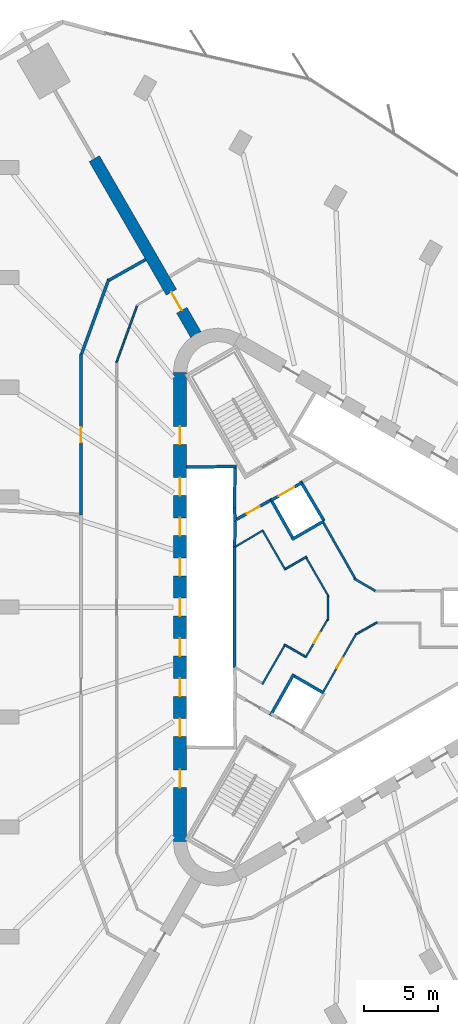
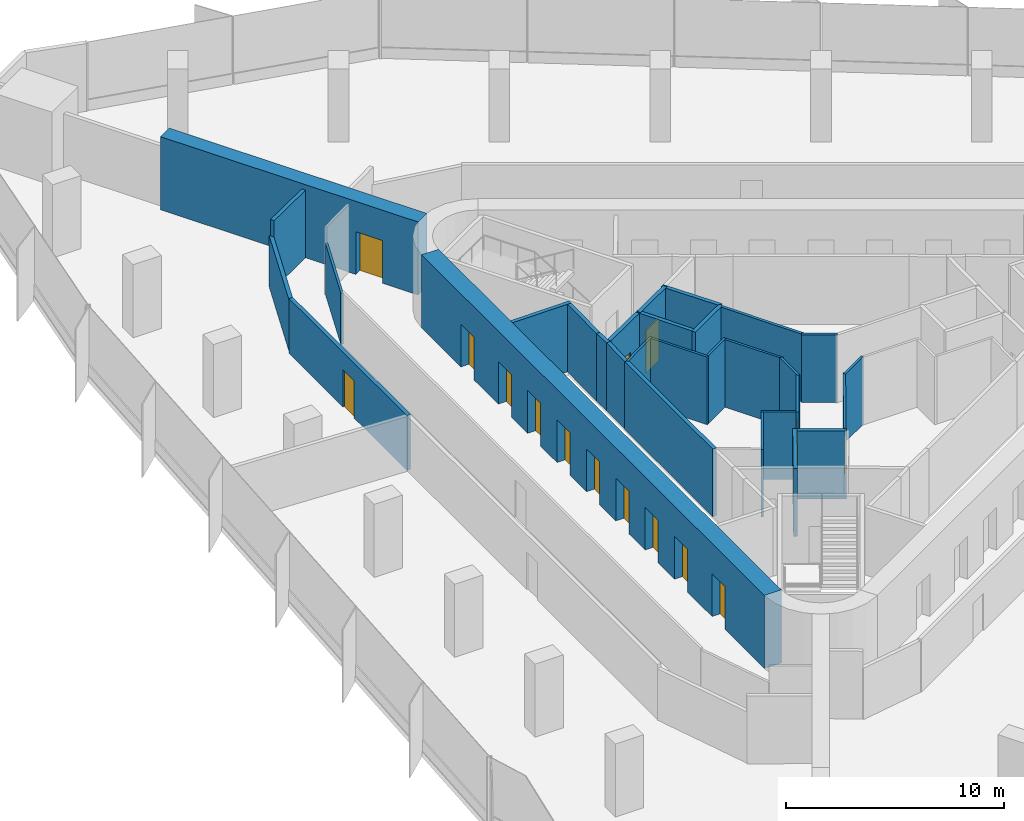
# One storey, part 10 of 14: 30 walls, 15 doors, 15 openings.
"""IFC4 building model written with IfcOpenShell, lengths in metres."""

from ifc_helpers import new_model, si_unit, direction, frame, frame_2d, origin, place, context, subcontext, project, spatial, rectangle, extrude, material, layer, layer_set, type_object, element, fill, save


model = new_model("IFC4")

# Units and contexts
model_context = context("Model", 3, precision=1e-05, world=origin(), true_north=direction((0.0, 1.0)))
body_context = subcontext(model_context, "Body", "Model", "MODEL_VIEW")
ifc_project = project(units=[si_unit("LENGTHUNIT", "METRE"), si_unit("AREAUNIT", "SQUARE_METRE"), si_unit("VOLUMEUNIT", "CUBIC_METRE"), si_unit("PLANEANGLEUNIT", "RADIAN"), si_unit("MASSUNIT", "GRAM", prefix="KILO")], contexts=[model_context])

# Site, building, storey
site_placement = place(None, origin())
site = spatial("IfcSite", under=ifc_project, at=site_placement, CompositionType="ELEMENT")
building_placement = place(site_placement, origin())
building = spatial("IfcBuilding", under=site, at=building_placement, Name="Tanit Gate Tower", CompositionType="ELEMENT")
storey_placement = place(building_placement, frame((0.0, 0.0, 78.300048828125)))
storey = spatial("IfcBuildingStorey", under=building, at=storey_placement, Name="L15", CompositionType="ELEMENT", Elevation=78.300048828125)

# Wall, opening, door
ifc_material_1 = material(Name="Concrete C60/75", Category="concrete")
ifc_layer_1 = layer(ifc_material_1, 0.800048828125)
ifc_layer_set_1 = layer_set([ifc_layer_1], Name="BUTTRESS FIN 800 C60/75")
wall_type_1 = type_object("IfcWallType", Name="BUTTRESS FIN 800 C60/75", PredefinedType="SHEAR", material=ifc_layer_set_1)
wall_1_placement = place(storey_placement, frame((-10.574951171875, 18.31640625, 0.0), z_axis=(0.0, 0.0, 1.0), x_axis=(-0.499998162141, 0.86602646487, 0.0)))
wall_1 = element("IfcWall", 1, at=wall_1_placement, inside=storey, type_object=wall_type_1, Name="BUTTRESS FIN", PredefinedType="SHEAR", context=body_context, shape_type="SweptSolid", body=[
    extrude(rectangle(XDim=13.66943359375, YDim=0.800048828125, at=frame_2d((6.834716796875, 0.0))), origin(), (0.0, 0.0, 1.0), 4.099853515625),
])
opening_1_placement = place(wall_1_placement, frame((1.89990234375, 0.0, 0.0)))
opening_1 = element("IfcOpeningElement", 2, at=opening_1_placement, cuts=wall_1, Name="Opening P14-S02-F-NW-1", PredefinedType="OPENING", context=body_context, shape_type="SweptSolid", body=[
    extrude(rectangle(XDim=1.39990234375, YDim=2.39990234375, at=frame_2d((0.699951171875, 1.199951171875))), frame((0.0, 0.41015625, 0.0), z_axis=(0.0, -1.0, 0.0), x_axis=(1.0, 0.0, 0.0)), (0.0, 0.0, 1.0), 0.820068359375),
])
ifc_material_2 = material(Name="Timber door leaf", Category="wood")
door_type_1 = type_object("IfcDoorType", Name="INT-DOOR-FIN-PAIR-1400", OperationType="NOTDEFINED", PredefinedType="NOTDEFINED", material=ifc_material_2)
door_1_placement = place(opening_1_placement, origin())
door_1 = element("IfcDoor", 3, at=door_1_placement, inside=storey, type_object=door_type_1, Name="Door P14-S02-F-NW-1", OperationType="DOUBLE_DOOR_SINGLE_SWING", OverallHeight=2.39990234375, OverallWidth=1.39990234375, PredefinedType="NOTDEFINED", context=body_context, shape_type="SweptSolid", body=[
    extrude(rectangle(XDim=1.39990234375, YDim=2.39990234375, at=frame_2d((0.699951171875, 1.199951171875))), frame((0.0, 0.02490234375, 0.0), z_axis=(0.0, -1.0, 0.0), x_axis=(1.0, 0.0, 0.0)), (0.0, 0.0, 1.0), 0.050048828125),
])
fill(opening_1, door_1)

# Wall, openings, doors
ifc_material_3 = material(Name="Concrete C60/75", Category="concrete")
ifc_layer_2 = layer(ifc_material_3, 0.89990234375)
ifc_layer_set_2 = layer_set([ifc_layer_2], Name="CORE WALL 900 C60/75")
wall_type_2 = type_object("IfcWallType", Name="CORE WALL 900 C60/75", PredefinedType="SHEAR", material=ifc_layer_set_2)
wall_2_placement = place(storey_placement, frame((-11.64990234375, 15.76171875, 0.0), z_axis=(0.0, 0.0, 1.0), x_axis=(0.0, -1.0, 0.0)))
wall_2 = element("IfcWall", 4, at=wall_2_placement, inside=storey, type_object=wall_type_2, Name="CORE WALL", PredefinedType="SHEAR", context=body_context, shape_type="SweptSolid", body=[
    extrude(rectangle(XDim=31.5234375, YDim=0.89990234375, at=frame_2d((15.76171875, 0.0))), origin(), (0.0, 0.0, 1.0), 4.099853515625),
])
opening_2_placement = place(wall_2_placement, frame((7.061767578125, 0.0, 0.0)))
opening_2 = element("IfcOpeningElement", 5, at=opening_2_placement, cuts=wall_2, Name="Opening LDLL1-S02", PredefinedType="OPENING", context=body_context, shape_type="SweptSolid", body=[
    extrude(rectangle(XDim=1.199951171875, YDim=2.39990234375, at=frame_2d((0.60009765625, 1.199951171875))), frame((0.0, 0.4599609375, 0.0), z_axis=(0.0, -1.0, 0.0), x_axis=(1.0, 0.0, 0.0)), (0.0, 0.0, 1.0), 0.919921875),
])
opening_3_placement = place(wall_2_placement, frame((9.76171875, 0.0, 0.0)))
opening_3 = element("IfcOpeningElement", 6, at=opening_3_placement, cuts=wall_2, Name="Opening LDLL2-S02", PredefinedType="OPENING", context=body_context, shape_type="SweptSolid", body=[
    extrude(rectangle(XDim=1.199951171875, YDim=2.39990234375, at=frame_2d((0.60009765625, 1.199951171875))), frame((0.0, 0.4599609375, 0.0), z_axis=(0.0, -1.0, 0.0), x_axis=(1.0, 0.0, 0.0)), (0.0, 0.0, 1.0), 0.919921875),
])
opening_4_placement = place(wall_2_placement, frame((12.461669921875, 0.0, 0.0)))
opening_4 = element("IfcOpeningElement", 7, at=opening_4_placement, cuts=wall_2, Name="Opening LDLL3-S02", PredefinedType="OPENING", context=body_context, shape_type="SweptSolid", body=[
    extrude(rectangle(XDim=1.199951171875, YDim=2.39990234375, at=frame_2d((0.60009765625, 1.199951171875))), frame((0.0, 0.4599609375, 0.0), z_axis=(0.0, -1.0, 0.0), x_axis=(1.0, 0.0, 0.0)), (0.0, 0.0, 1.0), 0.919921875),
])
opening_5_placement = place(wall_2_placement, frame((15.16162109375, 0.0, 0.0)))
opening_5 = element("IfcOpeningElement", 8, at=opening_5_placement, cuts=wall_2, Name="Opening LDLL4-S02", PredefinedType="OPENING", context=body_context, shape_type="SweptSolid", body=[
    extrude(rectangle(XDim=1.199951171875, YDim=2.39990234375, at=frame_2d((0.60009765625, 1.199951171875))), frame((0.0, 0.4599609375, 0.0), z_axis=(0.0, -1.0, 0.0), x_axis=(1.0, 0.0, 0.0)), (0.0, 0.0, 1.0), 0.919921875),
])
opening_6_placement = place(wall_2_placement, frame((17.86181640625, 0.0, 0.0)))
opening_6 = element("IfcOpeningElement", 9, at=opening_6_placement, cuts=wall_2, Name="Opening LDLL5-S02", PredefinedType="OPENING", context=body_context, shape_type="SweptSolid", body=[
    extrude(rectangle(XDim=1.199951171875, YDim=2.39990234375, at=frame_2d((0.60009765625, 1.199951171875))), frame((0.0, 0.4599609375, 0.0), z_axis=(0.0, -1.0, 0.0), x_axis=(1.0, 0.0, 0.0)), (0.0, 0.0, 1.0), 0.919921875),
])
opening_7_placement = place(wall_2_placement, frame((20.561767578125, 0.0, 0.0)))
opening_7 = element("IfcOpeningElement", 10, at=opening_7_placement, cuts=wall_2, Name="Opening LDLL6-S02", PredefinedType="OPENING", context=body_context, shape_type="SweptSolid", body=[
    extrude(rectangle(XDim=1.199951171875, YDim=2.39990234375, at=frame_2d((0.60009765625, 1.199951171875))), frame((0.0, 0.4599609375, 0.0), z_axis=(0.0, -1.0, 0.0), x_axis=(1.0, 0.0, 0.0)), (0.0, 0.0, 1.0), 0.919921875),
])
opening_8_placement = place(wall_2_placement, frame((23.26171875, 0.0, 0.0)))
opening_8 = element("IfcOpeningElement", 11, at=opening_8_placement, cuts=wall_2, Name="Opening LDLL7-S02", PredefinedType="OPENING", context=body_context, shape_type="SweptSolid", body=[
    extrude(rectangle(XDim=1.199951171875, YDim=2.39990234375, at=frame_2d((0.60009765625, 1.199951171875))), frame((0.0, 0.4599609375, 0.0), z_axis=(0.0, -1.0, 0.0), x_axis=(1.0, 0.0, 0.0)), (0.0, 0.0, 1.0), 0.919921875),
])
opening_9_placement = place(wall_2_placement, frame((3.61181640625, 0.0, 0.0)))
opening_9 = element("IfcOpeningElement", 12, at=opening_9_placement, cuts=wall_2, Name="Opening F12-S02-FL2", PredefinedType="OPENING", context=body_context, shape_type="SweptSolid", body=[
    extrude(rectangle(XDim=1.199951171875, YDim=2.39990234375, at=frame_2d((0.60009765625, 1.199951171875))), frame((0.0, 0.4599609375, 0.0), z_axis=(0.0, -1.0, 0.0), x_axis=(1.0, 0.0, 0.0)), (0.0, 0.0, 1.0), 0.919921875),
])
opening_10_placement = place(wall_2_placement, frame((26.711669921875, 0.0, 0.0)))
opening_10 = element("IfcOpeningElement", 13, at=opening_10_placement, cuts=wall_2, Name="Opening F12-S02-S3", PredefinedType="OPENING", context=body_context, shape_type="SweptSolid", body=[
    extrude(rectangle(XDim=1.199951171875, YDim=2.39990234375, at=frame_2d((0.60009765625, 1.199951171875))), frame((0.0, 0.4599609375, 0.0), z_axis=(0.0, -1.0, 0.0), x_axis=(1.0, 0.0, 0.0)), (0.0, 0.0, 1.0), 0.919921875),
])
ifc_material_4 = material(Name="Fire-rated steel door leaf", Category="steel")
door_type_2 = type_object("IfcDoorType", Name="INT-DOOR-FIRE-LOBBY-1200", OperationType="NOTDEFINED", PredefinedType="USERDEFINED", material=ifc_material_4)
door_2_placement = place(opening_9_placement, origin())
door_2 = element("IfcDoor", 14, at=door_2_placement, inside=storey, type_object=door_type_2, Name="Door F12-S02-FL2", ObjectType="FIRE DOOR", OperationType="SINGLE_SWING_RIGHT", OverallHeight=2.39990234375, OverallWidth=1.199951171875, PredefinedType="USERDEFINED", context=body_context, shape_type="SweptSolid", body=[
    extrude(rectangle(XDim=1.199951171875, YDim=2.39990234375, at=frame_2d((0.60009765625, 1.199951171875))), frame((0.0, 0.02490234375, 0.0), z_axis=(0.0, -1.0, 0.0), x_axis=(1.0, 0.0, 0.0)), (0.0, 0.0, 1.0), 0.050048828125),
])
fill(opening_9, door_2)
door_3_placement = place(opening_10_placement, origin())
door_3 = element("IfcDoor", 15, at=door_3_placement, inside=storey, type_object=door_type_2, Name="Door F12-S02-S3", ObjectType="FIRE DOOR", OperationType="SINGLE_SWING_RIGHT", OverallHeight=2.39990234375, OverallWidth=1.199951171875, PredefinedType="USERDEFINED", context=body_context, shape_type="SweptSolid", body=[
    extrude(rectangle(XDim=1.199951171875, YDim=2.39990234375, at=frame_2d((0.60009765625, 1.199951171875))), frame((0.0, 0.02490234375, 0.0), z_axis=(0.0, -1.0, 0.0), x_axis=(1.0, 0.0, 0.0)), (0.0, 0.0, 1.0), 0.050048828125),
])
fill(opening_10, door_3)
ifc_material_5 = material(Name="Stainless steel sliding door leaf", Category="steel")
door_type_3 = type_object("IfcDoorType", Name="INT-DOOR-LANDING-1200", OperationType="NOTDEFINED", PredefinedType="USERDEFINED", material=ifc_material_5)
door_4_placement = place(opening_2_placement, origin())
door_4 = element("IfcDoor", 16, at=door_4_placement, inside=storey, type_object=door_type_3, Name="Door LDLL1-S02", ObjectType="LANDING DOOR", OperationType="SLIDING_TO_LEFT", OverallHeight=2.39990234375, OverallWidth=1.199951171875, PredefinedType="USERDEFINED", context=body_context, shape_type="SweptSolid", body=[
    extrude(rectangle(XDim=1.199951171875, YDim=2.39990234375, at=frame_2d((0.60009765625, 1.199951171875))), frame((0.0, 0.02490234375, 0.0), z_axis=(0.0, -1.0, 0.0), x_axis=(1.0, 0.0, 0.0)), (0.0, 0.0, 1.0), 0.050048828125),
])
fill(opening_2, door_4)
door_5_placement = place(opening_3_placement, origin())
door_5 = element("IfcDoor", 17, at=door_5_placement, inside=storey, type_object=door_type_3, Name="Door LDLL2-S02", ObjectType="LANDING DOOR", OperationType="SLIDING_TO_LEFT", OverallHeight=2.39990234375, OverallWidth=1.199951171875, PredefinedType="USERDEFINED", context=body_context, shape_type="SweptSolid", body=[
    extrude(rectangle(XDim=1.199951171875, YDim=2.39990234375, at=frame_2d((0.60009765625, 1.199951171875))), frame((0.0, 0.02490234375, 0.0), z_axis=(0.0, -1.0, 0.0), x_axis=(1.0, 0.0, 0.0)), (0.0, 0.0, 1.0), 0.050048828125),
])
fill(opening_3, door_5)
door_6_placement = place(opening_4_placement, origin())
door_6 = element("IfcDoor", 18, at=door_6_placement, inside=storey, type_object=door_type_3, Name="Door LDLL3-S02", ObjectType="LANDING DOOR", OperationType="SLIDING_TO_LEFT", OverallHeight=2.39990234375, OverallWidth=1.199951171875, PredefinedType="USERDEFINED", context=body_context, shape_type="SweptSolid", body=[
    extrude(rectangle(XDim=1.199951171875, YDim=2.39990234375, at=frame_2d((0.60009765625, 1.199951171875))), frame((0.0, 0.02490234375, 0.0), z_axis=(0.0, -1.0, 0.0), x_axis=(1.0, 0.0, 0.0)), (0.0, 0.0, 1.0), 0.050048828125),
])
fill(opening_4, door_6)
door_7_placement = place(opening_5_placement, origin())
door_7 = element("IfcDoor", 19, at=door_7_placement, inside=storey, type_object=door_type_3, Name="Door LDLL4-S02", ObjectType="LANDING DOOR", OperationType="SLIDING_TO_LEFT", OverallHeight=2.39990234375, OverallWidth=1.199951171875, PredefinedType="USERDEFINED", context=body_context, shape_type="SweptSolid", body=[
    extrude(rectangle(XDim=1.199951171875, YDim=2.39990234375, at=frame_2d((0.60009765625, 1.199951171875))), frame((0.0, 0.02490234375, 0.0), z_axis=(0.0, -1.0, 0.0), x_axis=(1.0, 0.0, 0.0)), (0.0, 0.0, 1.0), 0.050048828125),
])
fill(opening_5, door_7)
door_8_placement = place(opening_6_placement, origin())
door_8 = element("IfcDoor", 20, at=door_8_placement, inside=storey, type_object=door_type_3, Name="Door LDLL5-S02", ObjectType="LANDING DOOR", OperationType="SLIDING_TO_LEFT", OverallHeight=2.39990234375, OverallWidth=1.199951171875, PredefinedType="USERDEFINED", context=body_context, shape_type="SweptSolid", body=[
    extrude(rectangle(XDim=1.199951171875, YDim=2.39990234375, at=frame_2d((0.60009765625, 1.199951171875))), frame((0.0, 0.02490234375, 0.0), z_axis=(0.0, -1.0, 0.0), x_axis=(1.0, 0.0, 0.0)), (0.0, 0.0, 1.0), 0.050048828125),
])
fill(opening_6, door_8)
door_9_placement = place(opening_7_placement, origin())
door_9 = element("IfcDoor", 21, at=door_9_placement, inside=storey, type_object=door_type_3, Name="Door LDLL6-S02", ObjectType="LANDING DOOR", OperationType="SLIDING_TO_LEFT", OverallHeight=2.39990234375, OverallWidth=1.199951171875, PredefinedType="USERDEFINED", context=body_context, shape_type="SweptSolid", body=[
    extrude(rectangle(XDim=1.199951171875, YDim=2.39990234375, at=frame_2d((0.60009765625, 1.199951171875))), frame((0.0, 0.02490234375, 0.0), z_axis=(0.0, -1.0, 0.0), x_axis=(1.0, 0.0, 0.0)), (0.0, 0.0, 1.0), 0.050048828125),
])
fill(opening_7, door_9)
door_10_placement = place(opening_8_placement, origin())
door_10 = element("IfcDoor", 22, at=door_10_placement, inside=storey, type_object=door_type_3, Name="Door LDLL7-S02", ObjectType="LANDING DOOR", OperationType="SLIDING_TO_LEFT", OverallHeight=2.39990234375, OverallWidth=1.199951171875, PredefinedType="USERDEFINED", context=body_context, shape_type="SweptSolid", body=[
    extrude(rectangle(XDim=1.199951171875, YDim=2.39990234375, at=frame_2d((0.60009765625, 1.199951171875))), frame((0.0, 0.02490234375, 0.0), z_axis=(0.0, -1.0, 0.0), x_axis=(1.0, 0.0, 0.0)), (0.0, 0.0, 1.0), 0.050048828125),
])
fill(opening_8, door_10)

# Wall, opening, door
ifc_material_6 = material(Name="Fire-rated gypsum board partition")
ifc_layer_3 = layer(ifc_material_6, 0.199951171875)
ifc_layer_set_3 = layer_set([ifc_layer_3], Name="INT-WALL-COMPARTMENT")
wall_type_3 = type_object("IfcWallType", Name="INT-WALL-COMPARTMENT", PredefinedType="PARTITIONING", material=ifc_layer_set_3)
wall_3_placement = place(storey_placement, frame((-5.600341796875, 7.16015625, 0.0), z_axis=(0.0, 0.0, 1.0), x_axis=(-0.871363259478, -0.490638431059, 0.0)))
wall_3 = element("IfcWall", 23, at=wall_3_placement, inside=storey, type_object=wall_type_3, Name="Wall Compartment W062", PredefinedType="PARTITIONING", context=body_context, shape_type="SweptSolid", body=[
    extrude(rectangle(XDim=2.5810546875, YDim=0.199951171875, at=frame_2d((1.29052734375, 0.0))), origin(), (0.0, 0.0, 1.0), 3.800048828125),
])
opening_11_placement = place(wall_3_placement, frame((0.79052734375, 0.0, 0.0)))
opening_11 = element("IfcOpeningElement", 24, at=opening_11_placement, cuts=wall_3, Name="Opening F10-S02-05", PredefinedType="OPENING", context=body_context, shape_type="SweptSolid", body=[
    extrude(rectangle(XDim=1.0, YDim=2.10009765625, at=frame_2d((0.5, 1.050048828125))), frame((0.0, 0.10986328125, 0.0), z_axis=(0.0, -1.0, 0.0), x_axis=(1.0, 0.0, 0.0)), (0.0, 0.0, 1.0), 0.219970703125),
])
ifc_material_7 = material(Name="Fire-rated steel door leaf", Category="steel")
door_type_4 = type_object("IfcDoorType", Name="INT-DOOR-FIRE-1000", OperationType="NOTDEFINED", PredefinedType="USERDEFINED", material=ifc_material_7)
door_11_placement = place(opening_11_placement, origin())
door_11 = element("IfcDoor", 25, at=door_11_placement, inside=storey, type_object=door_type_4, Name="Door F10-S02-05", ObjectType="FIRE DOOR", OperationType="SINGLE_SWING_LEFT", OverallHeight=2.10009765625, OverallWidth=1.0, PredefinedType="USERDEFINED", context=body_context, shape_type="SweptSolid", body=[
    extrude(rectangle(XDim=1.0, YDim=2.10009765625, at=frame_2d((0.5, 1.050048828125))), frame((0.0, 0.02490234375, 0.0), z_axis=(0.0, -1.0, 0.0), x_axis=(1.0, 0.0, 0.0)), (0.0, 0.0, 1.0), 0.050048828125),
])
fill(opening_11, door_11)

wall_4_placement = place(storey_placement, frame((-18.300048828125, 17.0341796875, 0.0), z_axis=(0.0, 0.0, 1.0), x_axis=(0.0, -1.0, 0.0)))
wall_4 = element("IfcWall", 26, at=wall_4_placement, inside=storey, type_object=wall_type_3, Name="Wall Compartment W091", PredefinedType="PARTITIONING", context=body_context, shape_type="SweptSolid", body=[
    extrude(rectangle(XDim=10.835205078125, YDim=0.199951171875, at=frame_2d((5.41748046875, 0.0))), origin(), (0.0, 0.0, 1.0), 3.079833984375),
])
opening_12_placement = place(wall_4_placement, frame((4.956298828125, 0.0, 0.0)))
opening_12 = element("IfcOpeningElement", 27, at=opening_12_placement, cuts=wall_4, Name="Opening F10-S02-20", PredefinedType="OPENING", context=body_context, shape_type="SweptSolid", body=[
    extrude(rectangle(XDim=1.0, YDim=2.10009765625, at=frame_2d((0.5, 1.050048828125))), frame((0.0, 0.10986328125, 0.0), z_axis=(0.0, -1.0, 0.0), x_axis=(1.0, 0.0, 0.0)), (0.0, 0.0, 1.0), 0.219970703125),
])
door_12_placement = place(opening_12_placement, origin())
door_12 = element("IfcDoor", 28, at=door_12_placement, inside=storey, type_object=door_type_4, Name="Door F10-S02-20", ObjectType="FIRE DOOR", OperationType="SINGLE_SWING_LEFT", OverallHeight=2.10009765625, OverallWidth=1.0, PredefinedType="USERDEFINED", context=body_context, shape_type="SweptSolid", body=[
    extrude(rectangle(XDim=1.0, YDim=2.10009765625, at=frame_2d((0.5, 1.050048828125))), frame((0.0, 0.02490234375, 0.0), z_axis=(0.0, -1.0, 0.0), x_axis=(1.0, 0.0, 0.0)), (0.0, 0.0, 1.0), 0.050048828125),
])
fill(opening_12, door_12)

# Walls
wall_5_placement = place(storey_placement, frame((-16.4345703125, 22.0595703125, 0.0), z_axis=(0.0, 0.0, 1.0), x_axis=(-0.342032279434, -0.939688203515, 0.0)))
element("IfcWall", 29, at=wall_5_placement, inside=storey, type_object=wall_type_3, Name="Wall Compartment W092", PredefinedType="PARTITIONING", context=body_context, shape_type="SweptSolid", body=[
    extrude(rectangle(XDim=5.354248046875, YDim=0.199951171875, at=frame_2d((2.67724609375, 0.0))), origin(), (0.0, 0.0, 1.0), 2.8798828125),
])
wall_6_placement = place(storey_placement, frame((-13.956298828125, 23.373046875, 0.0), z_axis=(0.0, 0.0, 1.0), x_axis=(-0.870578825461, -0.492028971361, 0.0)))
element("IfcWall", 30, at=wall_6_placement, inside=storey, type_object=wall_type_3, Name="Wall Compartment W093", PredefinedType="PARTITIONING", context=body_context, shape_type="SweptSolid", body=[
    extrude(rectangle(XDim=2.84423828125, YDim=0.199951171875, at=frame_2d((1.422119140625, 0.0))), origin(), (0.0, 0.0, 1.0), 3.800048828125),
])

# Wall, opening, door
ifc_material_8 = material(Name="Gypsum board partition")
ifc_layer_4 = layer(ifc_material_8, 0.1201171875)
ifc_layer_set_4 = layer_set([ifc_layer_4], Name="INT-WALL-PARTITION")
wall_type_4 = type_object("IfcWallType", Name="INT-WALL-PARTITION", PredefinedType="PARTITIONING", material=ifc_layer_set_4)
wall_7_placement = place(storey_placement, frame((0.223876953125, -1.760986328125, 0.0), z_axis=(0.0, 0.0, 1.0), x_axis=(-0.494327216836, -0.869275907118, 0.0)))
wall_7 = element("IfcWall", 31, at=wall_7_placement, inside=storey, type_object=wall_type_4, Name="Wall Partition W068", PredefinedType="PARTITIONING", context=body_context, shape_type="SweptSolid", body=[
    extrude(rectangle(XDim=4.487060546875, YDim=0.1201171875, at=frame_2d((2.24365234375, 0.0))), origin(), (0.0, 0.0, 1.0), 3.800048828125),
])
opening_13_placement = place(wall_7_placement, frame((1.89453125, 0.0, 0.0)))
opening_13 = element("IfcOpeningElement", 32, at=opening_13_placement, cuts=wall_7, Name="Opening R08-S02-11", PredefinedType="OPENING", context=body_context, shape_type="SweptSolid", body=[
    extrude(rectangle(XDim=0.800048828125, YDim=2.10009765625, at=frame_2d((0.39990234375, 1.050048828125))), frame((0.0, 0.070068359375, 0.0), z_axis=(0.0, -1.0, 0.0), x_axis=(1.0, 0.0, 0.0)), (0.0, 0.0, 1.0), 0.14013671875),
])
ifc_material_9 = material(Name="Timber door leaf", Category="wood")
door_type_5 = type_object("IfcDoorType", Name="INT-DOOR-RISER-800", OperationType="NOTDEFINED", PredefinedType="USERDEFINED", material=ifc_material_9)
door_13_placement = place(opening_13_placement, origin())
door_13 = element("IfcDoor", 33, at=door_13_placement, inside=storey, type_object=door_type_5, Name="Door R08-S02-11", ObjectType="FIRE DOOR", OperationType="SINGLE_SWING_LEFT", OverallHeight=2.10009765625, OverallWidth=0.800048828125, PredefinedType="USERDEFINED", context=body_context, shape_type="SweptSolid", body=[
    extrude(rectangle(XDim=0.800048828125, YDim=2.10009765625, at=frame_2d((0.39990234375, 1.050048828125))), frame((0.0, 0.02490234375, 0.0), z_axis=(0.0, -1.0, 0.0), x_axis=(1.0, 0.0, 0.0)), (0.0, 0.0, 1.0), 0.050048828125),
])
fill(opening_13, door_13)

# Walls
wall_8_placement = place(storey_placement, frame((1.60546875, -1.02294921875, 0.0), z_axis=(0.0, 0.0, 1.0), x_axis=(-0.866001581989, -0.50004125829, 0.0)))
element("IfcWall", 34, at=wall_8_placement, inside=storey, type_object=wall_type_4, Name="Wall Partition W069", PredefinedType="PARTITIONING", context=body_context, shape_type="SweptSolid", body=[
    extrude(rectangle(XDim=1.635009765625, YDim=0.1201171875, at=frame_2d((0.8173828125, 0.0))), origin(), (0.0, 0.0, 1.0), 3.800048828125),
])
wall_9_placement = place(storey_placement, frame((-6.03662109375, 5.17578125, 0.0), z_axis=(0.0, 0.0, 1.0), x_axis=(-0.860106072674, -0.510115225953, 0.0)))
element("IfcWall", 35, at=wall_9_placement, inside=storey, type_object=wall_type_4, Name="Wall Partition W074", PredefinedType="PARTITIONING", context=body_context, shape_type="SweptSolid", body=[
    extrude(rectangle(XDim=2.224609375, YDim=0.1201171875, at=frame_2d((1.1123046875, 0.0))), origin(), (0.0, 0.0, 1.0), 3.800048828125),
])
wall_10_placement = place(storey_placement, frame((-4.558349609375, 2.4951171875, 0.0), z_axis=(0.0, 0.0, 1.0), x_axis=(-0.499990139034, 0.866031096941, 0.0)))
element("IfcWall", 36, at=wall_10_placement, inside=storey, type_object=wall_type_4, Name="Wall Partition W075", PredefinedType="PARTITIONING", context=body_context, shape_type="SweptSolid", body=[
    extrude(rectangle(XDim=3.0, YDim=0.1201171875, at=frame_2d((1.5, 0.0))), origin(), (0.0, 0.0, 1.0), 3.800048828125),
])
wall_11_placement = place(storey_placement, frame((-3.12890625, 3.3896484375, 0.0), z_axis=(0.0, 0.0, 1.0), x_axis=(-0.866053003207, -0.499952193351, 0.0)))
element("IfcWall", 37, at=wall_11_placement, inside=storey, type_object=wall_type_4, Name="Wall Partition W076", PredefinedType="PARTITIONING", context=body_context, shape_type="SweptSolid", body=[
    extrude(rectangle(XDim=1.625244140625, YDim=0.1201171875, at=frame_2d((0.8125, 0.0))), origin(), (0.0, 0.0, 1.0), 3.800048828125),
])
wall_12_placement = place(storey_placement, frame((-1.63671875, 0.68505859375, 0.0), z_axis=(0.0, 0.0, 1.0), x_axis=(-0.500006252586, 0.866021793822, 0.0)))
element("IfcWall", 38, at=wall_12_placement, inside=storey, type_object=wall_type_4, Name="Wall Partition W077", PredefinedType="PARTITIONING", context=body_context, shape_type="SweptSolid", body=[
    extrude(rectangle(XDim=3.0283203125, YDim=0.1201171875, at=frame_2d((1.51416015625, 0.0))), origin(), (0.0, 0.0, 1.0), 3.800048828125),
])
wall_13_placement = place(storey_placement, frame((-1.688720703125, -0.87890625, 0.0), z_axis=(0.0, 0.0, 1.0), x_axis=(0.0, 1.0, 0.0)))
element("IfcWall", 39, at=wall_13_placement, inside=storey, type_object=wall_type_4, Name="Wall Partition W078", PredefinedType="PARTITIONING", context=body_context, shape_type="SweptSolid", body=[
    extrude(rectangle(XDim=1.63525390625, YDim=0.1201171875, at=frame_2d((0.817626953125, 0.0))), origin(), (0.0, 0.0, 1.0), 3.800048828125),
])

# Wall, opening, door
wall_14_placement = place(storey_placement, frame((-3.2109375, -3.41162109375, 0.0), z_axis=(0.0, 0.0, 1.0), x_axis=(0.499983190554, 0.866035108505, 0.0)))
wall_14 = element("IfcWall", 40, at=wall_14_placement, inside=storey, type_object=wall_type_4, Name="Wall Partition W079", PredefinedType="PARTITIONING", context=body_context, shape_type="SweptSolid", body=[
    extrude(rectangle(XDim=3.02587890625, YDim=0.1201171875, at=frame_2d((1.512939453125, 0.0))), origin(), (0.0, 0.0, 1.0), 3.800048828125),
])
opening_14_placement = place(wall_14_placement, frame((1.142822265625, 0.0, 0.0)))
opening_14 = element("IfcOpeningElement", 41, at=opening_14_placement, cuts=wall_14, Name="Opening R08-S02-12", PredefinedType="OPENING", context=body_context, shape_type="SweptSolid", body=[
    extrude(rectangle(XDim=0.800048828125, YDim=2.10009765625, at=frame_2d((0.39990234375, 1.050048828125))), frame((0.0, 0.070068359375, 0.0), z_axis=(0.0, -1.0, 0.0), x_axis=(1.0, 0.0, 0.0)), (0.0, 0.0, 1.0), 0.14013671875),
])
door_14_placement = place(opening_14_placement, origin())
door_14 = element("IfcDoor", 42, at=door_14_placement, inside=storey, type_object=door_type_5, Name="Door R08-S02-12", ObjectType="FIRE DOOR", OperationType="SINGLE_SWING_LEFT", OverallHeight=2.10009765625, OverallWidth=0.800048828125, PredefinedType="USERDEFINED", context=body_context, shape_type="SweptSolid", body=[
    extrude(rectangle(XDim=0.800048828125, YDim=2.10009765625, at=frame_2d((0.39990234375, 1.050048828125))), frame((0.0, 0.02490234375, 0.0), z_axis=(0.0, -1.0, 0.0), x_axis=(1.0, 0.0, 0.0)), (0.0, 0.0, 1.0), 0.050048828125),
])
fill(opening_14, door_14)

# Walls
wall_15_placement = place(storey_placement, frame((-4.64013671875, -2.51708984375, 0.0), z_axis=(0.0, 0.0, 1.0), x_axis=(0.866015446554, -0.500017246033, 0.0)))
element("IfcWall", 43, at=wall_15_placement, inside=storey, type_object=wall_type_4, Name="Wall Partition W080", PredefinedType="PARTITIONING", context=body_context, shape_type="SweptSolid", body=[
    extrude(rectangle(XDim=1.625, YDim=0.1201171875, at=frame_2d((0.8125, 0.0))), origin(), (0.0, 0.0, 1.0), 3.800048828125),
])
wall_16_placement = place(storey_placement, frame((-6.1181640625, -5.197265625, 0.0), z_axis=(0.0, 0.0, 1.0), x_axis=(0.499990139034, 0.866031096941, 0.0)))
element("IfcWall", 44, at=wall_16_placement, inside=storey, type_object=wall_type_4, Name="Wall Partition W081", PredefinedType="PARTITIONING", context=body_context, shape_type="SweptSolid", body=[
    extrude(rectangle(XDim=3.0, YDim=0.1201171875, at=frame_2d((1.5, 0.0))), origin(), (0.0, 0.0, 1.0), 3.800048828125),
])
wall_17_placement = place(storey_placement, frame((-14.527587890625, 20.281982421875, 0.0), z_axis=(0.0, 0.0, 1.0), x_axis=(-0.341969257767, -0.939711140054, 0.0)))
element("IfcWall", 45, at=wall_17_placement, inside=storey, type_object=wall_type_4, Name="Wall Partition W084", PredefinedType="PARTITIONING", context=body_context, shape_type="SweptSolid", body=[
    extrude(rectangle(XDim=4.072998046875, YDim=0.1201171875, at=frame_2d((2.03662109375, 0.0))), origin(), (0.0, 0.0, 1.0), 2.8798828125),
])
ifc_material_10 = material(Name="Fire-rated gypsum board partition")
ifc_layer_5 = layer(ifc_material_10, 0.14990234375)
ifc_layer_set_5 = layer_set([ifc_layer_5], Name="INT-WALL-RISER")
wall_type_5 = type_object("IfcWallType", Name="INT-WALL-RISER", PredefinedType="PLUMBINGWALL", material=ifc_layer_set_5)
wall_18_placement = place(storey_placement, frame((0.0625, 1.9140625, 0.0), z_axis=(0.0, 0.0, 1.0), x_axis=(0.866018462269, -0.500012022864, 0.0)))
element("IfcWall", 46, at=wall_18_placement, inside=storey, type_object=wall_type_5, Name="Wall Riser W066", PredefinedType="PLUMBINGWALL", context=body_context, shape_type="SweptSolid", body=[
    extrude(rectangle(XDim=1.654296875, YDim=0.14990234375, at=frame_2d((0.8271484375, 0.0))), origin(), (0.0, 0.0, 1.0), 3.800048828125),
])
wall_19_placement = place(storey_placement, frame((-1.994140625, 5.661376953125, 0.0), z_axis=(0.0, 0.0, 1.0), x_axis=(0.494341211302, -0.869267948798, 0.0)))
element("IfcWall", 47, at=wall_19_placement, inside=storey, type_object=wall_type_5, Name="Wall Riser W067", PredefinedType="PLUMBINGWALL", context=body_context, shape_type="SweptSolid", body=[
    extrude(rectangle(XDim=4.36083984375, YDim=0.14990234375, at=frame_2d((2.180419921875, 0.0))), origin(), (0.0, 0.0, 1.0), 3.800048828125),
])
ifc_material_11 = material(Name="Gypsum shaft wall system")
ifc_layer_6 = layer(ifc_material_11, 0.199951171875)
ifc_layer_set_6 = layer_set([ifc_layer_6], Name="INT-WALL-SHAFT")
wall_type_6 = type_object("IfcWallType", Name="INT-WALL-SHAFT", PredefinedType="PLUMBINGWALL", material=ifc_layer_set_6)
wall_20_placement = place(storey_placement, frame((-11.199951171875, 9.419921875, 0.0), z_axis=(0.0, 0.0, 1.0), x_axis=(0.999957167047, 0.009255488683, 0.0)))
element("IfcWall", 48, at=wall_20_placement, inside=storey, type_object=wall_type_6, Name="Wall Shaft W001", PredefinedType="PLUMBINGWALL", context=body_context, shape_type="SweptSolid", body=[
    extrude(rectangle(XDim=3.35009765625, YDim=0.199951171875, at=frame_2d((1.675048828125, 0.0))), origin(), (0.0, 0.0, 1.0), 3.800048828125),
])
wall_21_placement = place(storey_placement, frame((-7.951171875, 9.35009765625, 0.0), z_axis=(0.0, 0.0, 1.0), x_axis=(-0.011120469654, -0.999938165666, 0.0)))
element("IfcWall", 49, at=wall_21_placement, inside=storey, type_object=wall_type_6, Name="Wall Shaft W002", PredefinedType="PLUMBINGWALL", context=body_context, shape_type="SweptSolid", body=[
    extrude(rectangle(XDim=2.700439453125, YDim=0.199951171875, at=frame_2d((1.35009765625, 0.0))), origin(), (0.0, 0.0, 1.0), 3.800048828125),
])
wall_22_placement = place(storey_placement, frame((-7.97705078125, 6.650146484375, 0.0), z_axis=(0.0, 0.0, 1.0), x_axis=(0.030861509705, -0.999523670164, 0.0)))
element("IfcWall", 50, at=wall_22_placement, inside=storey, type_object=wall_type_6, Name="Wall Shaft W004", PredefinedType="PLUMBINGWALL", context=body_context, shape_type="SweptSolid", body=[
    extrude(rectangle(XDim=0.878173828125, YDim=0.199951171875, at=frame_2d((0.43896484375, 0.0))), origin(), (0.0, 0.0, 1.0), 3.800048828125),
])
wall_23_placement = place(storey_placement, frame((-7.94921875, 5.894775390625, 0.0), z_axis=(0.0, 0.0, 1.0), x_axis=(-0.012042535896, -0.999927486035, 0.0)))
element("IfcWall", 51, at=wall_23_placement, inside=storey, type_object=wall_type_6, Name="Wall Shaft W005", PredefinedType="PLUMBINGWALL", context=body_context, shape_type="SweptSolid", body=[
    extrude(rectangle(XDim=1.844970703125, YDim=0.199951171875, at=frame_2d((0.92236328125, 0.0))), origin(), (0.0, 0.0, 1.0), 3.800048828125),
])
wall_24_placement = place(storey_placement, frame((-7.97998046875, 4.050048828125, 0.0), z_axis=(0.0, 0.0, 1.0), x_axis=(0.0, -1.0, 0.0)))
element("IfcWall", 52, at=wall_24_placement, inside=storey, type_object=wall_type_6, Name="Wall Shaft W006", PredefinedType="PLUMBINGWALL", context=body_context, shape_type="SweptSolid", body=[
    extrude(rectangle(XDim=8.10009765625, YDim=0.199951171875, at=frame_2d((4.050048828125, 0.0))), origin(), (0.0, 0.0, 1.0), 3.800048828125),
])

# Wall, opening, door
wall_25_placement = place(storey_placement, frame((-5.524169921875, 7.168212890625, 0.0), z_axis=(0.0, 0.0, 1.0), x_axis=(0.866024647952, 0.500001309137, 0.0)))
wall_25 = element("IfcWall", 53, at=wall_25_placement, inside=storey, type_object=wall_type_6, Name="Wall Shaft W045", PredefinedType="PLUMBINGWALL", context=body_context, shape_type="SweptSolid", body=[
    extrude(rectangle(XDim=2.39990234375, YDim=0.199951171875, at=frame_2d((1.199951171875, 0.0))), origin(), (0.0, 0.0, 1.0), 3.800048828125),
])
opening_15_placement = place(wall_25_placement, frame((0.60009765625, 0.0, 0.0)))
opening_15 = element("IfcOpeningElement", 54, at=opening_15_placement, cuts=wall_25, Name="Opening LDFL2-L15", PredefinedType="OPENING", context=body_context, shape_type="SweptSolid", body=[
    extrude(rectangle(XDim=1.199951171875, YDim=2.39990234375, at=frame_2d((0.60009765625, 1.199951171875))), frame((0.0, 0.10986328125, 0.0), z_axis=(0.0, -1.0, 0.0), x_axis=(1.0, 0.0, 0.0)), (0.0, 0.0, 1.0), 0.219970703125),
])
door_15_placement = place(opening_15_placement, origin())
door_15 = element("IfcDoor", 55, at=door_15_placement, inside=storey, type_object=door_type_3, Name="Door LDFL2-L15", ObjectType="LANDING DOOR", OperationType="SLIDING_TO_LEFT", OverallHeight=2.39990234375, OverallWidth=1.199951171875, PredefinedType="USERDEFINED", context=body_context, shape_type="SweptSolid", body=[
    extrude(rectangle(XDim=1.199951171875, YDim=2.39990234375, at=frame_2d((0.60009765625, 1.199951171875))), frame((0.0, 0.02490234375, 0.0), z_axis=(0.0, -1.0, 0.0), x_axis=(1.0, 0.0, 0.0)), (0.0, 0.0, 1.0), 0.050048828125),
])
fill(opening_15, door_15)

# Walls
wall_26_placement = place(storey_placement, frame((-3.53759765625, 8.46533203125, 0.0), z_axis=(0.0, 0.0, 1.0), x_axis=(0.508647062354, -0.860975125052, 0.0)))
element("IfcWall", 56, at=wall_26_placement, inside=storey, type_object=wall_type_6, Name="Wall Shaft W046", PredefinedType="PLUMBINGWALL", context=body_context, shape_type="SweptSolid", body=[
    extrude(rectangle(XDim=3.10009765625, YDim=0.199951171875, at=frame_2d((1.550048828125, 0.0))), origin(), (0.0, 0.0, 1.0), 3.800048828125),
])
wall_27_placement = place(storey_placement, frame((-1.978515625, 5.785888671875, 0.0), z_axis=(0.0, 0.0, 1.0), x_axis=(-0.866016689309, -0.500015093611, 0.0)))
element("IfcWall", 57, at=wall_27_placement, inside=storey, type_object=wall_type_6, Name="Wall Shaft W047", PredefinedType="PLUMBINGWALL", context=body_context, shape_type="SweptSolid", body=[
    extrude(rectangle(XDim=2.4794921875, YDim=0.199951171875, at=frame_2d((1.23974609375, 0.0))), origin(), (0.0, 0.0, 1.0), 3.800048828125),
])
wall_28_placement = place(storey_placement, frame((-5.5625, 7.29638671875, 0.0), z_axis=(0.0, 0.0, 1.0), x_axis=(0.49134651263, -0.870964180966, 0.0)))
element("IfcWall", 58, at=wall_28_placement, inside=storey, type_object=wall_type_6, Name="Wall Shaft W048", PredefinedType="PLUMBINGWALL", context=body_context, shape_type="SweptSolid", body=[
    extrude(rectangle(XDim=3.000244140625, YDim=0.199951171875, at=frame_2d((1.5, 0.0))), origin(), (0.0, 0.0, 1.0), 3.800048828125),
])
wall_29_placement = place(storey_placement, frame((-3.989990234375, -4.509033203125, 0.0), z_axis=(0.0, 0.0, 1.0), x_axis=(-0.491358283181, -0.870957540612, 0.0)))
element("IfcWall", 59, at=wall_29_placement, inside=storey, type_object=wall_type_6, Name="Wall Shaft W055", PredefinedType="PLUMBINGWALL", context=body_context, shape_type="SweptSolid", body=[
    extrude(rectangle(XDim=3.200439453125, YDim=0.199951171875, at=frame_2d((1.60009765625, 0.0))), origin(), (0.0, 0.0, 1.0), 3.800048828125),
])
wall_30_placement = place(storey_placement, frame((-3.95263671875, -4.646240234375, 0.0), z_axis=(0.0, 0.0, 1.0), x_axis=(0.866065302921, -0.4999308863, 0.0)))
element("IfcWall", 60, at=wall_30_placement, inside=storey, type_object=wall_type_6, Name="Wall Shaft W056", PredefinedType="PLUMBINGWALL", context=body_context, shape_type="SweptSolid", body=[
    extrude(rectangle(XDim=2.264404296875, YDim=0.199951171875, at=frame_2d((1.13232421875, 0.0))), origin(), (0.0, 0.0, 1.0), 3.800048828125),
])

save(model, "model.ifc")
